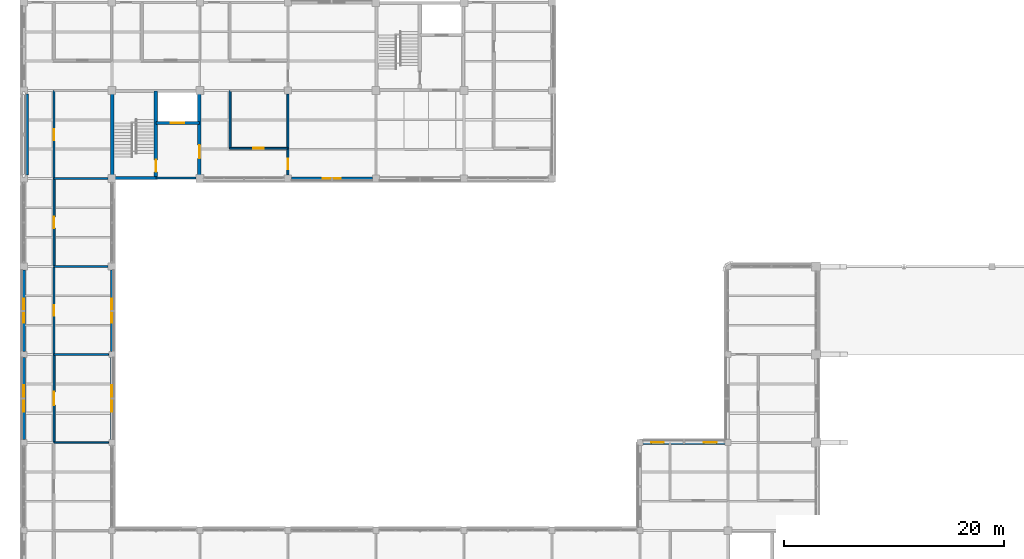
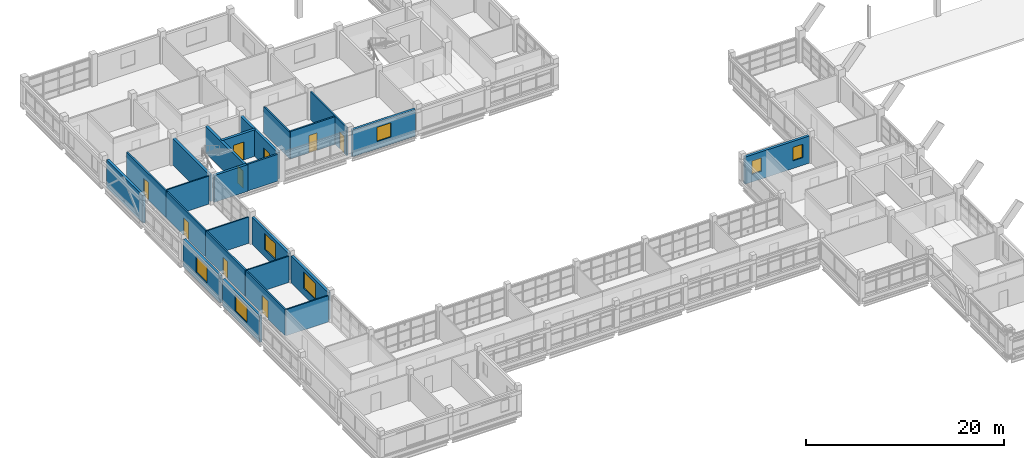
# One storey, part 68 of 92: 24 walls, 9 doors, 7 windows, 16 openings.
"""IFC4 building model written with IfcOpenShell, lengths in metres."""

from ifc_helpers import new_model, si_unit, derived_unit, direction, frame, frame_2d, origin, place, context, subcontext, project, spatial, rectangle, extrude, material, layer, layer_set, type_object, element, fill, save


model = new_model("IFC4")

# Units and contexts
model_context = context("Model", 3, precision=1e-05, world=origin(), true_north=direction((0.0, 1.0)))
body_context = subcontext(model_context, "Body", "Model", "MODEL_VIEW")
ifc_project = project(units=[si_unit("LENGTHUNIT", "METRE"), si_unit("AREAUNIT", "SQUARE_METRE"), si_unit("VOLUMEUNIT", "CUBIC_METRE"), si_unit("PLANEANGLEUNIT", "RADIAN"), si_unit("MASSUNIT", "GRAM", prefix="KILO"), derived_unit("THERMALTRANSMITTANCEUNIT", [(si_unit("MASSUNIT", "GRAM", prefix="KILO"), 1), (si_unit("TIMEUNIT", "SECOND"), -3), (si_unit("THERMODYNAMICTEMPERATUREUNIT", "KELVIN"), -1)])], contexts=[model_context])

# Site, building, storey
site_placement = place(None, origin())
site = spatial("IfcSite", under=ifc_project, at=site_placement, CompositionType="ELEMENT")
building_placement = place(site_placement, origin())
building = spatial("IfcBuilding", under=site, at=building_placement, Name="Veyamyaing Civic Hall", CompositionType="ELEMENT")
storey_placement = place(building_placement, frame((0.0, 0.0, 17.820068359375)))
storey = spatial("IfcBuildingStorey", under=building, at=storey_placement, Name="L04", CompositionType="ELEMENT", Elevation=17.820068359375)

# Wall, openings, windows
ifc_material_1 = material(Name="Precast concrete C40/50", Category="concrete")
ifc_layer_1 = layer(ifc_material_1, 0.304931640625, Name="Precast concrete C40/50")
ifc_layer_set_1 = layer_set([ifc_layer_1], Name="Precast concrete C40/50")
wall_type_1 = type_object("IfcWallType", Name="WT-03", PredefinedType="SOLIDWALL", material=ifc_layer_set_1)
wall_1_placement = place(storey_placement, frame((56.260009765625, 64.0, 0.0), z_axis=(0.0, 0.0, 1.0), x_axis=(1.0, 0.0, 0.0)))
wall_1 = element("IfcWall", 1, at=wall_1_placement, inside=storey, type_object=wall_type_1, Name="Exterior facade wall WT-03 L04 N 8.8", PredefinedType="SOLIDWALL", context=body_context, shape_type="SweptSolid", body=[
    extrude(rectangle(XDim=7.47998046875, YDim=0.304931640625, at=frame_2d((3.739990234375, 0.0))), origin(), (0.0, 0.0, 1.0), 3.35205078125),
])
opening_1_placement = place(wall_1_placement, frame((0.771484375, 0.0, 0.949951171875)))
opening_1 = element("IfcOpeningElement", 2, at=opening_1_placement, cuts=wall_1, Name="Opening W-32", PredefinedType="OPENING", context=body_context, shape_type="SweptSolid", body=[
    extrude(rectangle(XDim=1.14990234375, YDim=1.64990234375, at=frame_2d((0.574951171875, 0.824951171875))), frame((0.0, 0.162353515625, 0.0), z_axis=(0.0, -1.0, 0.0), x_axis=(1.0, 0.0, 0.0)), (0.0, 0.0, 1.0), 0.324951171875),
])
opening_2_placement = place(wall_1_placement, frame((5.55859375, 0.0, 0.949951171875)))
opening_2 = element("IfcOpeningElement", 3, at=opening_2_placement, cuts=wall_1, Name="Opening W-32", PredefinedType="OPENING", context=body_context, shape_type="SweptSolid", body=[
    extrude(rectangle(XDim=1.14990234375, YDim=1.64990234375, at=frame_2d((0.574951171875, 0.824951171875))), frame((0.0, 0.162353515625, 0.0), z_axis=(0.0, -1.0, 0.0), x_axis=(1.0, 0.0, 0.0)), (0.0, 0.0, 1.0), 0.324951171875),
])
ifc_material_2 = material(Name="Low-E insulated glass", Category="glass")
window_type_1 = type_object("IfcWindowType", Name="W-32", PartitioningType="SINGLE_PANEL", PredefinedType="WINDOW", material=ifc_material_2)
window_1_placement = place(opening_1_placement, origin())
window_1 = element("IfcWindow", 4, at=window_1_placement, inside=storey, type_object=window_type_1, Name="Facade window W-32 L04 N 8.8.1", OverallHeight=1.64990234375, OverallWidth=1.14990234375, PartitioningType="SINGLE_PANEL", PredefinedType="WINDOW", context=body_context, shape_type="SweptSolid", body=[
    extrude(rectangle(XDim=1.14990234375, YDim=1.64990234375, at=frame_2d((0.574951171875, 0.824951171875))), frame((0.0, 0.030029296875, 0.0), z_axis=(0.0, -1.0, 0.0), x_axis=(1.0, 0.0, 0.0)), (0.0, 0.0, 1.0), 0.06005859375),
])
fill(opening_1, window_1)
window_2_placement = place(opening_2_placement, origin())
window_2 = element("IfcWindow", 5, at=window_2_placement, inside=storey, type_object=window_type_1, Name="Facade window W-32 L04 N 8.8.2", OverallHeight=1.64990234375, OverallWidth=1.14990234375, PartitioningType="SINGLE_PANEL", PredefinedType="WINDOW", context=body_context, shape_type="SweptSolid", body=[
    extrude(rectangle(XDim=1.14990234375, YDim=1.64990234375, at=frame_2d((0.574951171875, 0.824951171875))), frame((0.0, 0.030029296875, 0.0), z_axis=(0.0, -1.0, 0.0), x_axis=(1.0, 0.0, 0.0)), (0.0, 0.0, 1.0), 0.06005859375),
])
fill(opening_2, window_2)

# Wall, opening, window
ifc_layer_2 = layer(ifc_material_1, 0.280029296875, Name="Precast concrete C40/50")
ifc_layer_set_2 = layer_set([ifc_layer_2], Name="Precast concrete C40/50")
wall_type_2 = type_object("IfcWallType", Name="WT-04", PredefinedType="SOLIDWALL", material=ifc_layer_set_2)
wall_2_placement = place(storey_placement, frame((0.0, 64.260009765625, 0.0), z_axis=(0.0, 0.0, 1.0), x_axis=(0.0, 1.0, 0.0)))
wall_2 = element("IfcWall", 6, at=wall_2_placement, inside=storey, type_object=wall_type_2, Name="Exterior facade wall WT-04 L04 W 1.9", PredefinedType="SOLIDWALL", context=body_context, shape_type="SweptSolid", body=[
    extrude(rectangle(XDim=7.47998046875, YDim=0.280029296875, at=frame_2d((3.739990234375, 0.0))), origin(), (0.0, 0.0, 1.0), 3.284912109375),
])
opening_3_placement = place(wall_2_placement, frame((2.5400390625, 0.0, 0.89990234375)))
opening_3 = element("IfcOpeningElement", 7, at=opening_3_placement, cuts=wall_2, Name="Opening W-07", PredefinedType="OPENING", context=body_context, shape_type="SweptSolid", body=[
    extrude(rectangle(XDim=2.39990234375, YDim=2.0, at=frame_2d((1.199951171875, 1.0))), frame((0.0, 0.14990234375, 0.0), z_axis=(0.0, -1.0, 0.0), x_axis=(1.0, 0.0, 0.0)), (0.0, 0.0, 1.0), 0.300048828125),
])
window_type_2 = type_object("IfcWindowType", Name="W-07", PartitioningType="SINGLE_PANEL", PredefinedType="WINDOW", material=ifc_material_2)
window_3_placement = place(opening_3_placement, origin())
window_3 = element("IfcWindow", 8, at=window_3_placement, inside=storey, type_object=window_type_2, Name="Facade window W-07 L04 W 1.9", OverallHeight=2.0, OverallWidth=2.39990234375, PartitioningType="SINGLE_PANEL", PredefinedType="WINDOW", context=body_context, shape_type="SweptSolid", body=[
    extrude(rectangle(XDim=2.39990234375, YDim=2.0, at=frame_2d((1.199951171875, 1.0))), frame((0.0, 0.030029296875, 0.0), z_axis=(0.0, -1.0, 0.0), x_axis=(1.0, 0.0, 0.0)), (0.0, 0.0, 1.0), 0.06005859375),
])
fill(opening_3, window_3)

wall_3_placement = place(storey_placement, frame((8.0, 64.260009765625, 0.0), z_axis=(0.0, 0.0, 1.0), x_axis=(0.0, 1.0, 0.0)))
wall_3 = element("IfcWall", 9, at=wall_3_placement, inside=storey, type_object=wall_type_2, Name="Exterior facade wall WT-04 L04 E 1.9", PredefinedType="SOLIDWALL", context=body_context, shape_type="SweptSolid", body=[
    extrude(rectangle(XDim=7.47998046875, YDim=0.280029296875, at=frame_2d((3.739990234375, 0.0))), origin(), (0.0, 0.0, 1.0), 3.348876953125),
])
opening_4_placement = place(wall_3_placement, frame((2.5400390625, 0.0, 0.89990234375)))
opening_4 = element("IfcOpeningElement", 10, at=opening_4_placement, cuts=wall_3, Name="Opening W-07", PredefinedType="OPENING", context=body_context, shape_type="SweptSolid", body=[
    extrude(rectangle(XDim=2.39990234375, YDim=2.0, at=frame_2d((1.199951171875, 1.0))), frame((0.0, 0.14990234375, 0.0), z_axis=(0.0, -1.0, 0.0), x_axis=(1.0, 0.0, 0.0)), (0.0, 0.0, 1.0), 0.300048828125),
])
window_4_placement = place(opening_4_placement, origin())
window_4 = element("IfcWindow", 11, at=window_4_placement, inside=storey, type_object=window_type_2, Name="Facade window W-07 L04 E 1.9", OverallHeight=2.0, OverallWidth=2.39990234375, PartitioningType="SINGLE_PANEL", PredefinedType="WINDOW", context=body_context, shape_type="SweptSolid", body=[
    extrude(rectangle(XDim=2.39990234375, YDim=2.0, at=frame_2d((1.199951171875, 1.0))), frame((0.0, 0.030029296875, 0.0), z_axis=(0.0, -1.0, 0.0), x_axis=(1.0, 0.0, 0.0)), (0.0, 0.0, 1.0), 0.06005859375),
])
fill(opening_4, window_4)

wall_4_placement = place(storey_placement, frame((0.0, 72.260009765625, 0.0), z_axis=(0.0, 0.0, 1.0), x_axis=(0.0, 1.0, 0.0)))
wall_4 = element("IfcWall", 12, at=wall_4_placement, inside=storey, type_object=wall_type_2, Name="Exterior facade wall WT-04 L04 W 1.10", PredefinedType="SOLIDWALL", context=body_context, shape_type="SweptSolid", body=[
    extrude(rectangle(XDim=7.429931640625, YDim=0.280029296875, at=frame_2d((3.71484375, 0.0))), origin(), (0.0, 0.0, 1.0), 3.368896484375),
])
opening_5_placement = place(wall_4_placement, frame((2.614990234375, 0.0, 0.89990234375)))
opening_5 = element("IfcOpeningElement", 13, at=opening_5_placement, cuts=wall_4, Name="Opening W-08", PredefinedType="OPENING", context=body_context, shape_type="SweptSolid", body=[
    extrude(rectangle(XDim=2.199951171875, YDim=2.0, at=frame_2d((1.10009765625, 1.0))), frame((0.0, 0.14990234375, 0.0), z_axis=(0.0, -1.0, 0.0), x_axis=(1.0, 0.0, 0.0)), (0.0, 0.0, 1.0), 0.300048828125),
])
window_type_3 = type_object("IfcWindowType", Name="W-08", PartitioningType="SINGLE_PANEL", PredefinedType="WINDOW", material=ifc_material_2)
window_5_placement = place(opening_5_placement, origin())
window_5 = element("IfcWindow", 14, at=window_5_placement, inside=storey, type_object=window_type_3, Name="Facade window W-08 L04 W 1.10", OverallHeight=2.0, OverallWidth=2.199951171875, PartitioningType="SINGLE_PANEL", PredefinedType="WINDOW", context=body_context, shape_type="SweptSolid", body=[
    extrude(rectangle(XDim=2.199951171875, YDim=2.0, at=frame_2d((1.10009765625, 1.0))), frame((0.0, 0.030029296875, 0.0), z_axis=(0.0, -1.0, 0.0), x_axis=(1.0, 0.0, 0.0)), (0.0, 0.0, 1.0), 0.06005859375),
])
fill(opening_5, window_5)

wall_5_placement = place(storey_placement, frame((8.0, 72.260009765625, 0.0), z_axis=(0.0, 0.0, 1.0), x_axis=(0.0, 1.0, 0.0)))
wall_5 = element("IfcWall", 15, at=wall_5_placement, inside=storey, type_object=wall_type_2, Name="Exterior facade wall WT-04 L04 E 1.10", PredefinedType="SOLIDWALL", context=body_context, shape_type="SweptSolid", body=[
    extrude(rectangle(XDim=7.429931640625, YDim=0.280029296875, at=frame_2d((3.71484375, 0.0))), origin(), (0.0, 0.0, 1.0), 3.308837890625),
])
opening_6_placement = place(wall_5_placement, frame((2.614990234375, 0.0, 0.89990234375)))
opening_6 = element("IfcOpeningElement", 16, at=opening_6_placement, cuts=wall_5, Name="Opening W-08", PredefinedType="OPENING", context=body_context, shape_type="SweptSolid", body=[
    extrude(rectangle(XDim=2.199951171875, YDim=2.0, at=frame_2d((1.10009765625, 1.0))), frame((0.0, 0.14990234375, 0.0), z_axis=(0.0, -1.0, 0.0), x_axis=(1.0, 0.0, 0.0)), (0.0, 0.0, 1.0), 0.300048828125),
])
window_6_placement = place(opening_6_placement, origin())
window_6 = element("IfcWindow", 17, at=window_6_placement, inside=storey, type_object=window_type_3, Name="Facade window W-08 L04 E 1.10", OverallHeight=2.0, OverallWidth=2.199951171875, PartitioningType="SINGLE_PANEL", PredefinedType="WINDOW", context=body_context, shape_type="SweptSolid", body=[
    extrude(rectangle(XDim=2.199951171875, YDim=2.0, at=frame_2d((1.10009765625, 1.0))), frame((0.0, 0.030029296875, 0.0), z_axis=(0.0, -1.0, 0.0), x_axis=(1.0, 0.0, 0.0)), (0.0, 0.0, 1.0), 0.06005859375),
])
fill(opening_6, window_6)

# Wall
wall_6_placement = place(storey_placement, frame((0.300048828125, 88.31005859375, 0.0), z_axis=(0.0, 0.0, 1.0), x_axis=(0.0, 1.0, 0.0)))
element("IfcWall", 18, at=wall_6_placement, inside=storey, type_object=wall_type_2, Name="Exterior facade wall WT-04 L04 W 1.12", PredefinedType="SOLIDWALL", context=body_context, shape_type="SweptSolid", body=[
    extrude(rectangle(XDim=7.3798828125, YDim=0.280029296875, at=frame_2d((3.68994140625, 0.0))), origin(), (0.0, 0.0, 1.0), 3.376953125),
])

# Wall, opening, window
wall_7_placement = place(storey_placement, frame((24.31005859375, 88.0, 0.0), z_axis=(0.0, 0.0, 1.0), x_axis=(1.0, 0.0, 0.0)))
wall_7 = element("IfcWall", 19, at=wall_7_placement, inside=storey, type_object=wall_type_2, Name="Exterior facade wall WT-04 L04 S 4.12", PredefinedType="SOLIDWALL", context=body_context, shape_type="SweptSolid", body=[
    extrude(rectangle(XDim=7.3798828125, YDim=0.280029296875, at=frame_2d((3.68994140625, 0.0))), origin(), (0.0, 0.0, 1.0), 3.31396484375),
])
opening_7_placement = place(wall_7_placement, frame((2.864990234375, 0.0, 0.89990234375)))
opening_7 = element("IfcOpeningElement", 20, at=opening_7_placement, cuts=wall_7, Name="Opening W-24", PredefinedType="OPENING", context=body_context, shape_type="SweptSolid", body=[
    extrude(rectangle(XDim=1.64990234375, YDim=1.75, at=frame_2d((0.824951171875, 0.875))), frame((0.0, 0.14990234375, 0.0), z_axis=(0.0, -1.0, 0.0), x_axis=(1.0, 0.0, 0.0)), (0.0, 0.0, 1.0), 0.300048828125),
])
window_type_4 = type_object("IfcWindowType", Name="W-24", PartitioningType="SINGLE_PANEL", PredefinedType="WINDOW", material=ifc_material_2)
window_7_placement = place(opening_7_placement, origin())
window_7 = element("IfcWindow", 21, at=window_7_placement, inside=storey, type_object=window_type_4, Name="Facade window W-24 L04 S 4.12", OverallHeight=1.75, OverallWidth=1.64990234375, PartitioningType="SINGLE_PANEL", PredefinedType="WINDOW", context=body_context, shape_type="SweptSolid", body=[
    extrude(rectangle(XDim=1.64990234375, YDim=1.75, at=frame_2d((0.824951171875, 0.875))), frame((0.0, 0.030029296875, 0.0), z_axis=(0.0, -1.0, 0.0), x_axis=(1.0, 0.0, 0.0)), (0.0, 0.0, 1.0), 0.06005859375),
])
fill(opening_7, window_7)

# Wall
ifc_material_3 = material(Name="Concrete C40/50", Category="concrete")
ifc_layer_3 = layer(ifc_material_3, 0.300048828125, Name="Concrete C40/50")
ifc_layer_set_3 = layer_set([ifc_layer_3], Name="Concrete C40/50")
wall_type_3 = type_object("IfcWallType", Name="WT-05", PredefinedType="SHEAR", material=ifc_layer_set_3)
wall_8_placement = place(storey_placement, frame((8.050048828125, 88.239990234375, 0.0), z_axis=(0.0, 0.0, 1.0), x_axis=(0.0, 1.0, 0.0)))
element("IfcWall", 22, at=wall_8_placement, inside=storey, type_object=wall_type_3, Name="Core shear wall WT-05 CORE-1 L04.W", PredefinedType="SHEAR", context=body_context, shape_type="SweptSolid", body=[
    extrude(rectangle(XDim=7.52001953125, YDim=0.300048828125, at=frame_2d((3.760009765625, 0.0))), origin(), (0.0, 0.0, 1.0), 3.2568359375),
])

# Wall, opening, door
wall_9_placement = place(storey_placement, frame((15.949951171875, 88.239990234375, 0.0), z_axis=(0.0, 0.0, 1.0), x_axis=(0.0, 1.0, 0.0)))
wall_9 = element("IfcWall", 23, at=wall_9_placement, inside=storey, type_object=wall_type_3, Name="Core shear wall WT-05 CORE-1 L04.E", PredefinedType="SHEAR", context=body_context, shape_type="SweptSolid", body=[
    extrude(rectangle(XDim=7.52001953125, YDim=0.300048828125, at=frame_2d((3.760009765625, 0.0))), origin(), (0.0, 0.0, 1.0), 3.262939453125),
])
opening_8_placement = place(wall_9_placement, frame((1.60009765625, 0.0, 0.0)))
opening_8 = element("IfcOpeningElement", 24, at=opening_8_placement, cuts=wall_9, Name="Opening D-04", PredefinedType="OPENING", context=body_context, shape_type="SweptSolid", body=[
    extrude(rectangle(XDim=1.199951171875, YDim=2.14990234375, at=frame_2d((0.60009765625, 1.074951171875))), frame((0.0, 0.159912109375, 0.0), z_axis=(0.0, -1.0, 0.0), x_axis=(1.0, 0.0, 0.0)), (0.0, 0.0, 1.0), 0.320068359375),
])
ifc_material_4 = material(Name="Galvanized steel S355J2", Category="steel")
door_type_1 = type_object("IfcDoorType", Name="D-04", OperationType="NOTDEFINED", PredefinedType="DOOR", material=ifc_material_4)
door_1_placement = place(opening_8_placement, frame((1.199951171875, 0.0, 0.0), z_axis=(0.0, 0.0, 1.0), x_axis=(-1.0, 0.0, 0.0)))
door_1 = element("IfcDoor", 25, at=door_1_placement, inside=storey, type_object=door_type_1, Name="Protected lobby fire door D-04 CORE-1 L04", OperationType="SINGLE_SWING_LEFT", OverallHeight=2.14990234375, OverallWidth=1.199951171875, PredefinedType="DOOR", context=body_context, shape_type="SweptSolid", body=[
    extrude(rectangle(XDim=1.199951171875, YDim=2.14990234375, at=frame_2d((0.60009765625, 1.074951171875))), frame((0.0, 0.02490234375, 0.0), z_axis=(0.0, -1.0, 0.0), x_axis=(1.0, 0.0, 0.0)), (0.0, 0.0, 1.0), 0.050048828125),
])
fill(opening_8, door_1)

# Wall
wall_10_placement = place(storey_placement, frame((8.239990234375, 88.050048828125, 0.0), z_axis=(0.0, 0.0, 1.0), x_axis=(1.0, 0.0, 0.0)))
element("IfcWall", 26, at=wall_10_placement, inside=storey, type_object=wall_type_3, Name="Core shear wall WT-05 CORE-1 L04.SS", PredefinedType="SHEAR", context=body_context, shape_type="SweptSolid", body=[
    extrude(rectangle(XDim=3.909912109375, YDim=0.300048828125, at=frame_2d((1.955078125, 0.0))), origin(), (0.0, 0.0, 1.0), 3.302978515625),
])

# Wall, opening, door
wall_11_placement = place(storey_placement, frame((12.0, 88.050048828125, 0.0), z_axis=(0.0, 0.0, 1.0), x_axis=(0.0, 1.0, 0.0)))
wall_11 = element("IfcWall", 27, at=wall_11_placement, inside=storey, type_object=wall_type_3, Name="Core shear wall WT-05 CORE-1 L04.MID", PredefinedType="SHEAR", context=body_context, shape_type="SweptSolid", body=[
    extrude(rectangle(XDim=7.89990234375, YDim=0.300048828125, at=frame_2d((3.949951171875, 0.0))), origin(), (0.0, 0.0, 1.0), 3.262939453125),
])
opening_9_placement = place(wall_11_placement, frame((0.550048828125, 0.0, 0.0)))
opening_9 = element("IfcOpeningElement", 28, at=opening_9_placement, cuts=wall_11, Name="Opening D-03", PredefinedType="OPENING", context=body_context, shape_type="SweptSolid", body=[
    extrude(rectangle(XDim=1.10009765625, YDim=2.14990234375, at=frame_2d((0.550048828125, 1.074951171875))), frame((0.0, 0.159912109375, 0.0), z_axis=(0.0, -1.0, 0.0), x_axis=(1.0, 0.0, 0.0)), (0.0, 0.0, 1.0), 0.320068359375),
])
door_type_2 = type_object("IfcDoorType", Name="D-03", OperationType="NOTDEFINED", PredefinedType="DOOR", material=ifc_material_4)
door_2_placement = place(opening_9_placement, origin())
door_2 = element("IfcDoor", 29, at=door_2_placement, inside=storey, type_object=door_type_2, Name="Exit stair fire door D-03 ST-01 L04", OperationType="SINGLE_SWING_RIGHT", OverallHeight=2.14990234375, OverallWidth=1.10009765625, PredefinedType="DOOR", context=body_context, shape_type="SweptSolid", body=[
    extrude(rectangle(XDim=1.10009765625, YDim=2.14990234375, at=frame_2d((0.550048828125, 1.074951171875))), frame((0.0, 0.02490234375, 0.0), z_axis=(0.0, -1.0, 0.0), x_axis=(1.0, 0.0, 0.0)), (0.0, 0.0, 1.0), 0.050048828125),
])
fill(opening_9, door_2)

wall_12_placement = place(storey_placement, frame((12.0, 93.050048828125, 0.0), z_axis=(0.0, 0.0, 1.0), x_axis=(1.0, 0.0, 0.0)))
wall_12 = element("IfcWall", 30, at=wall_12_placement, inside=storey, type_object=wall_type_3, Name="Core shear wall WT-05 CORE-1 L04.LFT", PredefinedType="SHEAR", context=body_context, shape_type="SweptSolid", body=[
    extrude(rectangle(XDim=3.949951171875, YDim=0.300048828125, at=frame_2d((1.97509765625, 0.0))), origin(), (0.0, 0.0, 1.0), 3.262939453125),
])
opening_10_placement = place(wall_12_placement, frame((1.375, 0.0, 0.0)))
opening_10 = element("IfcOpeningElement", 31, at=opening_10_placement, cuts=wall_12, Name="Opening LD-02", PredefinedType="OPENING", context=body_context, shape_type="SweptSolid", body=[
    extrude(rectangle(XDim=1.199951171875, YDim=2.199951171875, at=frame_2d((0.60009765625, 1.10009765625))), frame((0.0, 0.159912109375, 0.0), z_axis=(0.0, -1.0, 0.0), x_axis=(1.0, 0.0, 0.0)), (0.0, 0.0, 1.0), 0.320068359375),
])
door_type_3 = type_object("IfcDoorType", Name="LD-02", OperationType="SLIDING_TO_LEFT", PredefinedType="DOOR", material=ifc_material_4)
door_3_placement = place(opening_10_placement, origin())
door_3 = element("IfcDoor", 32, at=door_3_placement, inside=storey, type_object=door_type_3, Name="Lift sliding landing door LD-02 FL-01 L04", OperationType="SLIDING_TO_LEFT", OverallHeight=2.199951171875, OverallWidth=1.199951171875, PredefinedType="DOOR", context=body_context, shape_type="SweptSolid", body=[
    extrude(rectangle(XDim=1.199951171875, YDim=2.199951171875, at=frame_2d((0.60009765625, 1.10009765625))), frame((0.0, 0.02490234375, 0.0), z_axis=(0.0, -1.0, 0.0), x_axis=(1.0, 0.0, 0.0)), (0.0, 0.0, 1.0), 0.050048828125),
])
fill(opening_10, door_3)

# Wall
ifc_layer_4 = layer(ifc_material_3, 0.199951171875, Name="Concrete C40/50")
ifc_layer_set_4 = layer_set([ifc_layer_4], Name="Concrete C40/50")
wall_type_4 = type_object("IfcWallType", Name="WT-06", PredefinedType="PARTITIONING", material=ifc_layer_set_4)
wall_13_placement = place(storey_placement, frame((12.0, 88.050048828125, 0.0), z_axis=(0.0, 0.0, 1.0), x_axis=(1.0, 0.0, 0.0)))
element("IfcWall", 33, at=wall_13_placement, inside=storey, type_object=wall_type_4, Name="Firefighting lift lobby wall WT-06 CORE-1 L04", PredefinedType="PARTITIONING", context=body_context, shape_type="SweptSolid", body=[
    extrude(rectangle(XDim=3.659912109375, YDim=0.199951171875, at=frame_2d((1.830078125, 0.0))), origin(), (0.0, 0.0, 1.0), 3.302978515625),
])

# Wall, opening, door
ifc_material_5 = material(Name="Gypsum board on acoustic steel stud", Category="steel")
ifc_layer_5 = layer(ifc_material_5, 0.175048828125, Name="Gypsum board on acoustic steel stud")
ifc_layer_set_5 = layer_set([ifc_layer_5], Name="Gypsum board on acoustic steel stud")
wall_type_5 = type_object("IfcWallType", Name="WT-07", PredefinedType="PARTITIONING", material=ifc_layer_set_5)
wall_14_placement = place(storey_placement, frame((2.75, 64.02001953125, 0.0), z_axis=(0.0, 0.0, 1.0), x_axis=(0.0, 1.0, 0.0)))
wall_14 = element("IfcWall", 34, at=wall_14_placement, inside=storey, type_object=wall_type_5, Name="Corridor gallery partition WT-07 L04.3.1", PredefinedType="PARTITIONING", context=body_context, shape_type="SweptSolid", body=[
    extrude(rectangle(XDim=7.9599609375, YDim=0.175048828125, at=frame_2d((3.97998046875, 0.0))), origin(), (0.0, 0.0, 1.0), 3.23193359375),
])
opening_11_placement = place(wall_14_placement, frame((3.35498046875, 0.0, 0.0)))
opening_11 = element("IfcOpeningElement", 35, at=opening_11_placement, cuts=wall_14, Name="Opening D-29", PredefinedType="OPENING", context=body_context, shape_type="SweptSolid", body=[
    extrude(rectangle(XDim=1.25, YDim=2.179931640625, at=frame_2d((0.625, 1.08984375))), frame((0.0, 0.097412109375, 0.0), z_axis=(0.0, -1.0, 0.0), x_axis=(1.0, 0.0, 0.0)), (0.0, 0.0, 1.0), 0.195068359375),
])
ifc_material_6 = material(Name="Teak-veneered acoustic timber", Category="wood")
door_type_4 = type_object("IfcDoorType", Name="D-29", OperationType="NOTDEFINED", PredefinedType="DOOR", material=ifc_material_6)
door_4_placement = place(opening_11_placement, frame((1.25, 0.0, 0.0), z_axis=(0.0, 0.0, 1.0), x_axis=(-1.0, 0.0, 0.0)))
door_4 = element("IfcDoor", 36, at=door_4_placement, inside=storey, type_object=door_type_4, Name="Gallery office door D-29 L04.3", OperationType="SINGLE_SWING_RIGHT", OverallHeight=2.179931640625, OverallWidth=1.25, PredefinedType="DOOR", context=body_context, shape_type="SweptSolid", body=[
    extrude(rectangle(XDim=1.25, YDim=2.179931640625, at=frame_2d((0.625, 1.08984375))), frame((0.0, 0.02490234375, 0.0), z_axis=(0.0, -1.0, 0.0), x_axis=(1.0, 0.0, 0.0)), (0.0, 0.0, 1.0), 0.050048828125),
])
fill(opening_11, door_4)

wall_15_placement = place(storey_placement, frame((2.75, 80.02001953125, 0.0), z_axis=(0.0, 0.0, 1.0), x_axis=(0.0, 1.0, 0.0)))
wall_15 = element("IfcWall", 37, at=wall_15_placement, inside=storey, type_object=wall_type_5, Name="Corridor gallery partition WT-07 L04.5.1", PredefinedType="PARTITIONING", context=body_context, shape_type="SweptSolid", body=[
    extrude(rectangle(XDim=7.9599609375, YDim=0.175048828125, at=frame_2d((3.97998046875, 0.0))), origin(), (0.0, 0.0, 1.0), 3.245849609375),
])
opening_12_placement = place(wall_15_placement, frame((3.455078125, 0.0, 0.0)))
opening_12 = element("IfcOpeningElement", 38, at=opening_12_placement, cuts=wall_15, Name="Opening D-12", PredefinedType="OPENING", context=body_context, shape_type="SweptSolid", body=[
    extrude(rectangle(XDim=1.050048828125, YDim=2.14990234375, at=frame_2d((0.52490234375, 1.074951171875))), frame((0.0, 0.097412109375, 0.0), z_axis=(0.0, -1.0, 0.0), x_axis=(1.0, 0.0, 0.0)), (0.0, 0.0, 1.0), 0.195068359375),
])
door_type_5 = type_object("IfcDoorType", Name="D-12", OperationType="NOTDEFINED", PredefinedType="DOOR", material=ifc_material_6)
door_5_placement = place(opening_12_placement, frame((1.050048828125, 0.0, 0.0), z_axis=(0.0, 0.0, 1.0), x_axis=(-1.0, 0.0, 0.0)))
door_5 = element("IfcDoor", 39, at=door_5_placement, inside=storey, type_object=door_type_5, Name="Gallery office door D-12 L04.5", OperationType="SINGLE_SWING_RIGHT", OverallHeight=2.14990234375, OverallWidth=1.050048828125, PredefinedType="DOOR", context=body_context, shape_type="SweptSolid", body=[
    extrude(rectangle(XDim=1.050048828125, YDim=2.14990234375, at=frame_2d((0.52490234375, 1.074951171875))), frame((0.0, 0.02490234375, 0.0), z_axis=(0.0, -1.0, 0.0), x_axis=(1.0, 0.0, 0.0)), (0.0, 0.0, 1.0), 0.050048828125),
])
fill(opening_12, door_5)

wall_16_placement = place(storey_placement, frame((18.699951171875, 90.75, 0.0), z_axis=(0.0, 0.0, 1.0), x_axis=(1.0, 0.0, 0.0)))
wall_16 = element("IfcWall", 40, at=wall_16_placement, inside=storey, type_object=wall_type_5, Name="Corridor gallery partition WT-07 L04.11.1", PredefinedType="PARTITIONING", context=body_context, shape_type="SweptSolid", body=[
    extrude(rectangle(XDim=5.280029296875, YDim=0.175048828125, at=frame_2d((2.64013671875, 0.0))), origin(), (0.0, 0.0, 1.0), 3.40185546875),
])
opening_13_placement = place(wall_16_placement, frame((2.159912109375, 0.0, 0.0)))
opening_13 = element("IfcOpeningElement", 41, at=opening_13_placement, cuts=wall_16, Name="Opening D-25", PredefinedType="OPENING", context=body_context, shape_type="SweptSolid", body=[
    extrude(rectangle(XDim=0.9599609375, YDim=2.139892578125, at=frame_2d((0.47998046875, 1.06982421875))), frame((0.0, 0.097412109375, 0.0), z_axis=(0.0, -1.0, 0.0), x_axis=(1.0, 0.0, 0.0)), (0.0, 0.0, 1.0), 0.195068359375),
])
door_type_6 = type_object("IfcDoorType", Name="D-25", OperationType="NOTDEFINED", PredefinedType="DOOR", material=ifc_material_6)
door_6_placement = place(opening_13_placement, origin())
door_6 = element("IfcDoor", 42, at=door_6_placement, inside=storey, type_object=door_type_6, Name="Gallery office door D-25 L04.11", OperationType="SINGLE_SWING_RIGHT", OverallHeight=2.139892578125, OverallWidth=0.9599609375, PredefinedType="DOOR", context=body_context, shape_type="SweptSolid", body=[
    extrude(rectangle(XDim=0.9599609375, YDim=2.139892578125, at=frame_2d((0.47998046875, 1.06982421875))), frame((0.0, 0.02490234375, 0.0), z_axis=(0.0, -1.0, 0.0), x_axis=(1.0, 0.0, 0.0)), (0.0, 0.0, 1.0), 0.050048828125),
])
fill(opening_13, door_6)

# Wall
wall_17_placement = place(storey_placement, frame((18.75, 90.699951171875, 0.0), z_axis=(0.0, 0.0, 1.0), x_axis=(0.0, 1.0, 0.0)))
element("IfcWall", 43, at=wall_17_placement, inside=storey, type_object=wall_type_5, Name="Corridor gallery partition WT-07 L04.11.2", PredefinedType="PARTITIONING", context=body_context, shape_type="SweptSolid", body=[
    extrude(rectangle(XDim=5.280029296875, YDim=0.175048828125, at=frame_2d((2.64013671875, 0.0))), origin(), (0.0, 0.0, 1.0), 3.2509765625),
])

# Wall, opening, door
wall_18_placement = place(storey_placement, frame((24.0, 88.31494140625, 0.0), z_axis=(0.0, 0.0, 1.0), x_axis=(0.0, 1.0, 0.0)))
wall_18 = element("IfcWall", 44, at=wall_18_placement, inside=storey, type_object=wall_type_5, Name="Interior partition wall WT-07 L04.7", PredefinedType="PARTITIONING", context=body_context, shape_type="SweptSolid", body=[
    extrude(rectangle(XDim=7.3701171875, YDim=0.175048828125, at=frame_2d((3.68505859375, 0.0))), origin(), (0.0, 0.0, 1.0), 3.4619140625),
])
opening_14_placement = place(wall_18_placement, frame((0.52001953125, 0.0, 0.0)))
opening_14 = element("IfcOpeningElement", 45, at=opening_14_placement, cuts=wall_18, Name="Opening D-30", PredefinedType="OPENING", context=body_context, shape_type="SweptSolid", body=[
    extrude(rectangle(XDim=0.93994140625, YDim=2.1201171875, at=frame_2d((0.469970703125, 1.06005859375))), frame((0.0, 0.097412109375, 0.0), z_axis=(0.0, -1.0, 0.0), x_axis=(1.0, 0.0, 0.0)), (0.0, 0.0, 1.0), 0.195068359375),
])
door_type_7 = type_object("IfcDoorType", Name="D-30", OperationType="NOTDEFINED", PredefinedType="DOOR", material=ifc_material_6)
door_7_placement = place(opening_14_placement, frame((0.93994140625, 0.0, 0.0), z_axis=(0.0, 0.0, 1.0), x_axis=(-1.0, 0.0, 0.0)))
door_7 = element("IfcDoor", 46, at=door_7_placement, inside=storey, type_object=door_type_7, Name="Interior door D-30 L04.7", OperationType="SINGLE_SWING_LEFT", OverallHeight=2.1201171875, OverallWidth=0.93994140625, PredefinedType="DOOR", context=body_context, shape_type="SweptSolid", body=[
    extrude(rectangle(XDim=0.93994140625, YDim=2.1201171875, at=frame_2d((0.469970703125, 1.06005859375))), frame((0.0, 0.02490234375, 0.0), z_axis=(0.0, -1.0, 0.0), x_axis=(1.0, 0.0, 0.0)), (0.0, 0.0, 1.0), 0.050048828125),
])
fill(opening_14, door_7)

# Walls
ifc_material_7 = material(Name="Gypsum board on steel stud", Category="steel")
ifc_layer_6 = layer(ifc_material_7, 0.14990234375, Name="Gypsum board on steel stud")
ifc_layer_set_6 = layer_set([ifc_layer_6], Name="Gypsum board on steel stud")
wall_type_6 = type_object("IfcWallType", Name="WT-08", PredefinedType="PARTITIONING", material=ifc_layer_set_6)
wall_19_placement = place(storey_placement, frame((2.75, 64.0, 0.0), z_axis=(0.0, 0.0, 1.0), x_axis=(1.0, 0.0, 0.0)))
element("IfcWall", 47, at=wall_19_placement, inside=storey, type_object=wall_type_6, Name="Gallery office end partition WT-08 L04.2.2", PredefinedType="PARTITIONING", context=body_context, shape_type="SweptSolid", body=[
    extrude(rectangle(XDim=4.965087890625, YDim=0.14990234375, at=frame_2d((2.482421875, 0.0))), origin(), (0.0, 0.0, 1.0), 3.23193359375),
])
wall_20_placement = place(storey_placement, frame((2.75, 72.0, 0.0), z_axis=(0.0, 0.0, 1.0), x_axis=(1.0, 0.0, 0.0)))
element("IfcWall", 48, at=wall_20_placement, inside=storey, type_object=wall_type_6, Name="Gallery office end partition WT-08 L04.3.2", PredefinedType="PARTITIONING", context=body_context, shape_type="SweptSolid", body=[
    extrude(rectangle(XDim=4.965087890625, YDim=0.14990234375, at=frame_2d((2.482421875, 0.0))), origin(), (0.0, 0.0, 1.0), 3.238037109375),
])
wall_21_placement = place(storey_placement, frame((2.75, 80.0, 0.0), z_axis=(0.0, 0.0, 1.0), x_axis=(1.0, 0.0, 0.0)))
element("IfcWall", 49, at=wall_21_placement, inside=storey, type_object=wall_type_6, Name="Gallery office end partition WT-08 L04.4.2", PredefinedType="PARTITIONING", context=body_context, shape_type="SweptSolid", body=[
    extrude(rectangle(XDim=4.9150390625, YDim=0.14990234375, at=frame_2d((2.45751953125, 0.0))), origin(), (0.0, 0.0, 1.0), 3.245849609375),
])
wall_22_placement = place(storey_placement, frame((2.75, 88.0, 0.0), z_axis=(0.0, 0.0, 1.0), x_axis=(1.0, 0.0, 0.0)))
element("IfcWall", 50, at=wall_22_placement, inside=storey, type_object=wall_type_6, Name="Gallery office end partition WT-08 L04.5.2", PredefinedType="PARTITIONING", context=body_context, shape_type="SweptSolid", body=[
    extrude(rectangle(XDim=4.889892578125, YDim=0.14990234375, at=frame_2d((2.44482421875, 0.0))), origin(), (0.0, 0.0, 1.0), 3.45703125),
])

# Wall, opening, door
ifc_material_8 = material(Name="Gypsum board on double acoustic stud")
ifc_layer_7 = layer(ifc_material_8, 0.18505859375, Name="Gypsum board on double acoustic stud")
ifc_layer_set_7 = layer_set([ifc_layer_7], Name="Gypsum board on double acoustic stud")
wall_type_7 = type_object("IfcWallType", Name="WT-19", PredefinedType="PARTITIONING", material=ifc_layer_set_7)
wall_23_placement = place(storey_placement, frame((2.75, 72.02001953125, 0.0), z_axis=(0.0, 0.0, 1.0), x_axis=(0.0, 1.0, 0.0)))
wall_23 = element("IfcWall", 51, at=wall_23_placement, inside=storey, type_object=wall_type_7, Name="Corridor gallery partition WT-19 L04.4.1", PredefinedType="PARTITIONING", context=body_context, shape_type="SweptSolid", body=[
    extrude(rectangle(XDim=7.9599609375, YDim=0.18505859375, at=frame_2d((3.97998046875, 0.0))), origin(), (0.0, 0.0, 1.0), 3.238037109375),
])
opening_15_placement = place(wall_23_placement, frame((3.510009765625, 0.0, 0.0)))
opening_15 = element("IfcOpeningElement", 52, at=opening_15_placement, cuts=wall_23, Name="Opening D-30", PredefinedType="OPENING", context=body_context, shape_type="SweptSolid", body=[
    extrude(rectangle(XDim=0.93994140625, YDim=2.1201171875, at=frame_2d((0.469970703125, 1.06005859375))), frame((0.0, 0.1025390625, 0.0), z_axis=(0.0, -1.0, 0.0), x_axis=(1.0, 0.0, 0.0)), (0.0, 0.0, 1.0), 0.205078125),
])
door_8_placement = place(opening_15_placement, frame((0.93994140625, 0.0, 0.0), z_axis=(0.0, 0.0, 1.0), x_axis=(-1.0, 0.0, 0.0)))
door_8 = element("IfcDoor", 53, at=door_8_placement, inside=storey, type_object=door_type_7, Name="Gallery office door D-30 L04.4", OperationType="SINGLE_SWING_LEFT", OverallHeight=2.1201171875, OverallWidth=0.93994140625, PredefinedType="DOOR", context=body_context, shape_type="SweptSolid", body=[
    extrude(rectangle(XDim=0.93994140625, YDim=2.1201171875, at=frame_2d((0.469970703125, 1.06005859375))), frame((0.0, 0.02490234375, 0.0), z_axis=(0.0, -1.0, 0.0), x_axis=(1.0, 0.0, 0.0)), (0.0, 0.0, 1.0), 0.050048828125),
])
fill(opening_15, door_8)

wall_24_placement = place(storey_placement, frame((2.75, 88.02001953125, 0.0), z_axis=(0.0, 0.0, 1.0), x_axis=(0.0, 1.0, 0.0)))
wall_24 = element("IfcWall", 54, at=wall_24_placement, inside=storey, type_object=wall_type_7, Name="Corridor gallery partition WT-19 L04.6.1", PredefinedType="PARTITIONING", context=body_context, shape_type="SweptSolid", body=[
    extrude(rectangle(XDim=7.9599609375, YDim=0.18505859375, at=frame_2d((3.97998046875, 0.0))), origin(), (0.0, 0.0, 1.0), 3.2568359375),
])
opening_16_placement = place(wall_24_placement, frame((3.47998046875, 0.0, 0.0)))
opening_16 = element("IfcOpeningElement", 55, at=opening_16_placement, cuts=wall_24, Name="Opening D-13", PredefinedType="OPENING", context=body_context, shape_type="SweptSolid", body=[
    extrude(rectangle(XDim=1.0, YDim=2.14990234375, at=frame_2d((0.5, 1.074951171875))), frame((0.0, 0.1025390625, 0.0), z_axis=(0.0, -1.0, 0.0), x_axis=(1.0, 0.0, 0.0)), (0.0, 0.0, 1.0), 0.205078125),
])
door_type_8 = type_object("IfcDoorType", Name="D-13", OperationType="NOTDEFINED", PredefinedType="DOOR", material=ifc_material_6)
door_9_placement = place(opening_16_placement, frame((1.0, 0.0, 0.0), z_axis=(0.0, 0.0, 1.0), x_axis=(-1.0, 0.0, 0.0)))
door_9 = element("IfcDoor", 56, at=door_9_placement, inside=storey, type_object=door_type_8, Name="Gallery office door D-13 L04.6", OperationType="SINGLE_SWING_LEFT", OverallHeight=2.14990234375, OverallWidth=1.0, PredefinedType="DOOR", context=body_context, shape_type="SweptSolid", body=[
    extrude(rectangle(XDim=1.0, YDim=2.14990234375, at=frame_2d((0.5, 1.074951171875))), frame((0.0, 0.02490234375, 0.0), z_axis=(0.0, -1.0, 0.0), x_axis=(1.0, 0.0, 0.0)), (0.0, 0.0, 1.0), 0.050048828125),
])
fill(opening_16, door_9)

save(model, "model.ifc")
